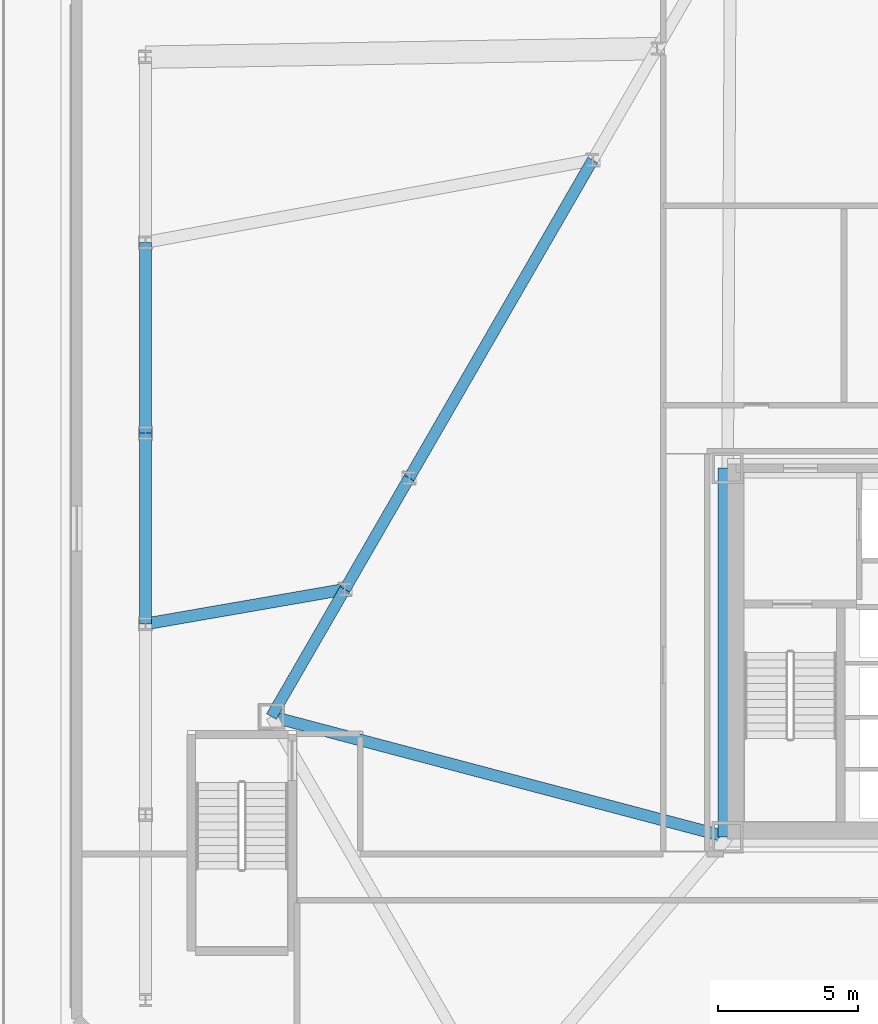
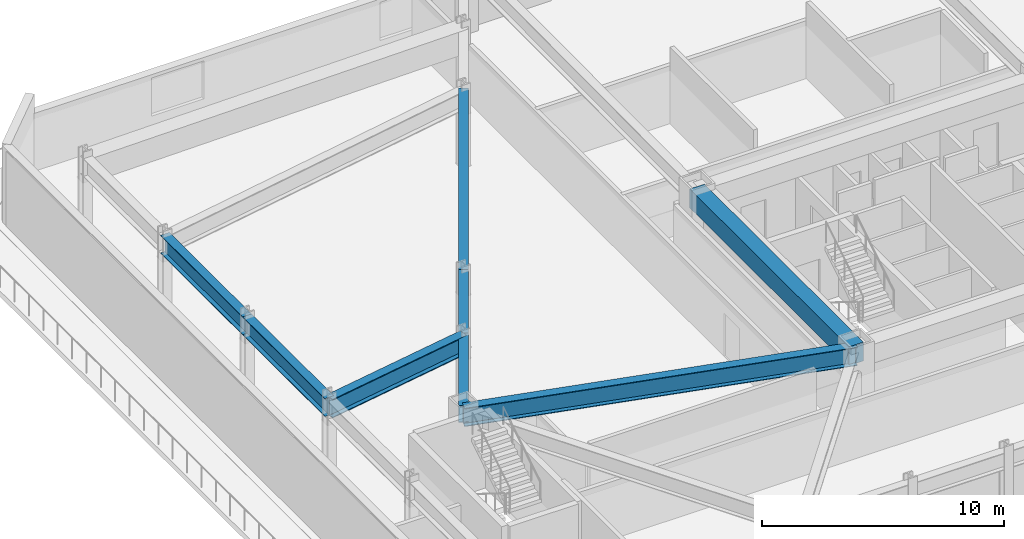
# One storey, part 3 of 22: 8 beams.
"""IFC4 building model written with IfcOpenShell, lengths in metres."""

from ifc_helpers import new_model, si_unit, direction, frame, origin, origin_2d, place, context, subcontext, project, spatial, rectangle, i_section, extrude, material, material_profile, profile_set, type_object, element, save


model = new_model("IFC4")

# Units and contexts
model_context = context("Model", 3, precision=1e-05, world=origin(), true_north=direction((0.0, 1.0)))
body_context = subcontext(model_context, "Body", "Model", "MODEL_VIEW")
ifc_project = project(units=[si_unit("LENGTHUNIT", "METRE"), si_unit("AREAUNIT", "SQUARE_METRE"), si_unit("VOLUMEUNIT", "CUBIC_METRE"), si_unit("PLANEANGLEUNIT", "RADIAN"), si_unit("MASSUNIT", "GRAM", prefix="KILO")], contexts=[model_context])

# Site, building, storey
site_placement = place(None, origin())
site = spatial("IfcSite", under=ifc_project, at=site_placement, CompositionType="ELEMENT")
building_placement = place(site_placement, origin())
building = spatial("IfcBuilding", under=site, at=building_placement, Name="Oramaril Tower", CompositionType="ELEMENT")
storey_placement = place(building_placement, frame((0.0, 0.0, 18.300048828125)))
storey = spatial("IfcBuildingStorey", under=building, at=storey_placement, Name="L04", CompositionType="ELEMENT", Elevation=18.300048828125)

# Beams
ifc_material_1 = material(Name="Concrete C50/60", Category="concrete")
ifc_material_profile_1 = material_profile(ifc_material_1, rectangle(XDim=0.699951171875, YDim=0.949951171875, at=origin_2d()), Name="CB700X950")
ifc_profile_set_1 = profile_set([ifc_material_profile_1], Name="Concrete C50/60")
beam_type_1 = type_object("IfcBeamType", Name="BT-CB1", PredefinedType="BEAM", material=ifc_profile_set_1)
beam_1_placement = place(storey_placement, frame((29.35009765625, 24.14990234375, 3.405029296875), z_axis=(0.0, -1.0, 0.0), x_axis=(1.0, 0.0, 0.0)))
element("IfcBeam", 1, at=beam_1_placement, inside=storey, type_object=beam_type_1, Name="L04 Core Header Beam CB-4", PredefinedType="BEAM", context=body_context, shape_type="SweptSolid", body=[
    extrude(rectangle(XDim=0.699951171875, YDim=0.949951171875, at=origin_2d()), origin(), (0.0, 0.0, 1.0), 13.14990234375),
])
ifc_material_2 = material(Name="Steel ASTM A572 Gr 50", Category="steel")
ifc_material_profile_2 = material_profile(ifc_material_2, i_section(OverallWidth=0.424072265625, OverallDepth=0.947021484375, WebThickness=0.02392578125, FlangeThickness=0.042724609375, at=origin_2d()), Name="W36X302")
ifc_profile_set_2 = profile_set([ifc_material_profile_2], Name="Steel ASTM A572 Gr 50")
beam_type_2 = type_object("IfcBeamType", Name="BT-PG1", PredefinedType="BEAM", material=ifc_profile_set_2)
beam_2_placement = place(storey_placement, frame((8.60009765625, 18.60009765625, 3.406494140625), z_axis=(0.985251471122, 0.171112649011, 0.0), x_axis=(-0.171112649011, 0.985251471122, 0.0)))
element("IfcBeam", 2, at=beam_2_placement, inside=storey, type_object=beam_type_2, Name="L04 Podium Clear-Span Girder 03", PredefinedType="BEAM", context=body_context, shape_type="SweptSolid", body=[
    extrude(i_section(OverallWidth=0.424072265625, OverallDepth=0.947021484375, WebThickness=0.02392578125, FlangeThickness=0.042724609375, at=origin_2d()), origin(), (0.0, 0.0, 1.0), 7.2138671875),
])
ifc_material_3 = material(Name="Steel ASTM A572 Gr 50", Category="steel")
ifc_material_profile_3 = material_profile(ifc_material_3, i_section(OverallWidth=0.4189453125, OverallDepth=0.927001953125, WebThickness=0.019287109375, FlangeThickness=0.031982421875, at=origin_2d()), Name="W36X231")
ifc_profile_set_3 = profile_set([ifc_material_profile_3], Name="Steel ASTM A572 Gr 50")
beam_type_3 = type_object("IfcBeamType", Name="BT-PG2", PredefinedType="BEAM", material=ifc_profile_set_3)
beam_3_placement = place(storey_placement, frame((29.35009765625, 11.0, 3.41650390625), z_axis=(-0.966766980937, 0.255659157024, 0.0), x_axis=(-0.255659157024, -0.966766980937, 0.0)))
element("IfcBeam", 3, at=beam_3_placement, inside=storey, type_object=beam_type_3, Name="L04 Radial Primary Beam RB-01", PredefinedType="BEAM", context=body_context, shape_type="SweptSolid", body=[
    extrude(i_section(OverallWidth=0.4189453125, OverallDepth=0.927001953125, WebThickness=0.019287109375, FlangeThickness=0.031982421875, at=origin_2d()), origin(), (0.0, 0.0, 1.0), 16.819580078125),
])
beam_4_placement = place(storey_placement, frame((8.60009765625, 18.60009765625, 3.41650390625), z_axis=(0.0, 1.0, 0.0), x_axis=(-1.0, 0.0, 0.0)))
element("IfcBeam", 4, at=beam_4_placement, inside=storey, type_object=beam_type_3, Name="L04 Podium Perimeter Girder 03", PredefinedType="BEAM", context=body_context, shape_type="SweptSolid", body=[
    extrude(i_section(OverallWidth=0.4189453125, OverallDepth=0.927001953125, WebThickness=0.019287109375, FlangeThickness=0.031982421875, at=origin_2d()), origin(), (0.0, 0.0, 1.0), 6.7998046875),
])
beam_5_placement = place(storey_placement, frame((8.60009765625, 25.39990234375, 3.41650390625), z_axis=(0.0, 1.0, 0.0), x_axis=(-1.0, 0.0, 0.0)))
element("IfcBeam", 5, at=beam_5_placement, inside=storey, type_object=beam_type_3, Name="L04 Podium Perimeter Girder 04", PredefinedType="BEAM", context=body_context, shape_type="SweptSolid", body=[
    extrude(i_section(OverallWidth=0.4189453125, OverallDepth=0.927001953125, WebThickness=0.019287109375, FlangeThickness=0.031982421875, at=origin_2d()), origin(), (0.0, 0.0, 1.0), 6.800048828125),
])
ifc_material_4 = material(Name="Steel ASTM A572 Gr 50", Category="steel")
ifc_material_profile_4 = material_profile(ifc_material_4, i_section(OverallWidth=0.40087890625, OverallDepth=0.85595703125, WebThickness=0.018310546875, FlangeThickness=0.029296875, at=origin_2d()), Name="W33X201")
ifc_profile_set_4 = profile_set([ifc_material_profile_4], Name="Steel ASTM A572 Gr 50")
beam_type_4 = type_object("IfcBeamType", Name="BT-SP1", PredefinedType="SPANDREL", material=ifc_profile_set_4)
beam_6_placement = place(storey_placement, frame((24.543212890625, 35.137939453125, 3.451904296875), z_axis=(-0.50000660679, -0.866021589319, 0.0), x_axis=(0.866021589319, -0.50000660679, 0.0)))
element("IfcBeam", 6, at=beam_6_placement, inside=storey, type_object=beam_type_4, Name="L04 Perimeter Spandrel 16", PredefinedType="SPANDREL", context=body_context, shape_type="SweptSolid", body=[
    extrude(i_section(OverallWidth=0.40087890625, OverallDepth=0.85595703125, WebThickness=0.018310546875, FlangeThickness=0.029296875, at=origin_2d()), origin(), (0.0, 0.0, 1.0), 13.089599609375),
])
beam_7_placement = place(storey_placement, frame((17.998291015625, 23.802001953125, 3.451904296875), z_axis=(-0.500019215235, -0.866014309579, 0.0), x_axis=(0.866014309579, -0.500019215235, 0.0)))
element("IfcBeam", 7, at=beam_7_placement, inside=storey, type_object=beam_type_4, Name="L04 Perimeter Spandrel 17", PredefinedType="SPANDREL", context=body_context, shape_type="SweptSolid", body=[
    extrude(i_section(OverallWidth=0.40087890625, OverallDepth=0.85595703125, WebThickness=0.018310546875, FlangeThickness=0.029296875, at=origin_2d()), origin(), (0.0, 0.0, 1.0), 4.581298828125),
])
beam_8_placement = place(storey_placement, frame((15.70751953125, 19.83447265625, 3.451904296875), z_axis=(-0.499995574394, -0.866027958894, 0.0), x_axis=(0.866027958894, -0.499995574394, 0.0)))
element("IfcBeam", 8, at=beam_8_placement, inside=storey, type_object=beam_type_4, Name="L04 Perimeter Spandrel 18", PredefinedType="SPANDREL", context=body_context, shape_type="SweptSolid", body=[
    extrude(i_section(OverallWidth=0.40087890625, OverallDepth=0.85595703125, WebThickness=0.018310546875, FlangeThickness=0.029296875, at=origin_2d()), origin(), (0.0, 0.0, 1.0), 5.23583984375),
])

save(model, "model.ifc")
